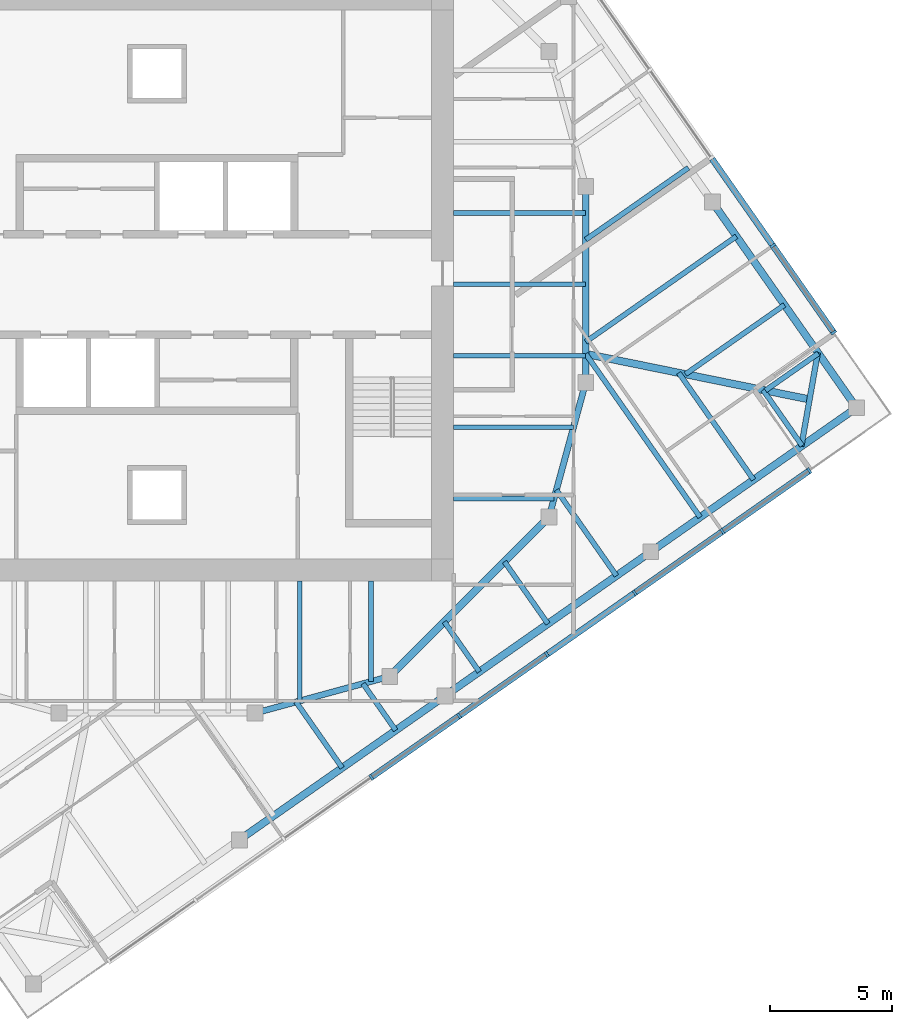
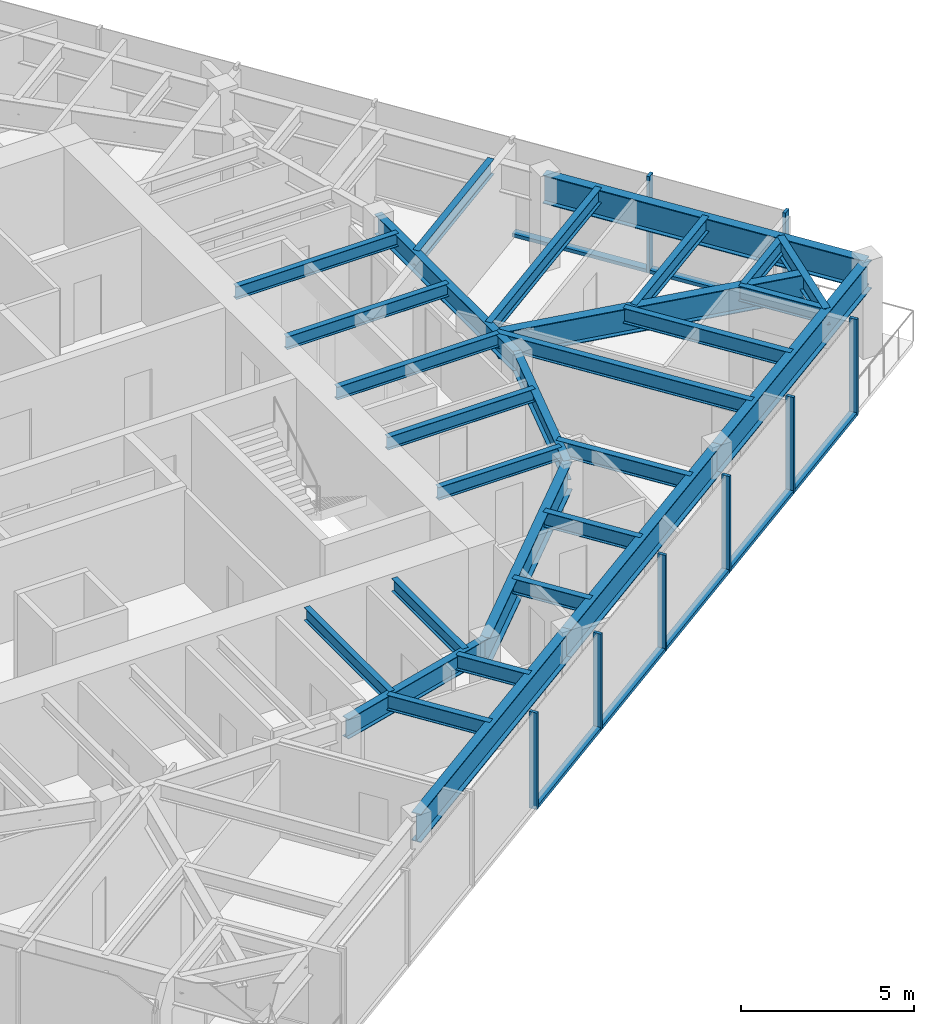
# One storey, part 3 of 12: 29 beams, 15 members, 2 elements without a shape of their own.
"""IFC4 building model written with IfcOpenShell, lengths in metres."""

from ifc_helpers import new_model, si_unit, direction, frame, origin, origin_2d, place, context, subcontext, project, spatial, rectangle, i_section, extrude, material, material_profile, profile_set, type_object, element, aggregate, save


model = new_model("IFC4")

# Units and contexts
model_context = context("Model", 3, precision=1e-05, world=origin(), true_north=direction((0.0, 1.0)))
body_context = subcontext(model_context, "Body", "Model", "MODEL_VIEW")
ifc_project = project(units=[si_unit("LENGTHUNIT", "METRE"), si_unit("AREAUNIT", "SQUARE_METRE"), si_unit("VOLUMEUNIT", "CUBIC_METRE"), si_unit("PLANEANGLEUNIT", "RADIAN"), si_unit("MASSUNIT", "GRAM", prefix="KILO")], contexts=[model_context])

# Site, building, storey
site_placement = place(None, origin())
site = spatial("IfcSite", under=ifc_project, at=site_placement, CompositionType="ELEMENT")
building_placement = place(site_placement, origin())
building = spatial("IfcBuilding", under=site, at=building_placement, Name="Torsade Residences", CompositionType="ELEMENT")
storey_placement = place(building_placement, frame((0.0, 0.0, 240.39990234375)))
storey = spatial("IfcBuildingStorey", under=building, at=storey_placement, Name="L66", CompositionType="ELEMENT", Elevation=240.39990234375)

# Beams
ifc_material_1 = material(Name="Steel grade 300", Category="steel")
ifc_material_profile_1 = material_profile(ifc_material_1, i_section(OverallWidth=0.300048828125, OverallDepth=0.89990234375, WebThickness=0.011962890625, FlangeThickness=0.02490234375, at=origin_2d()), Name="900WB175")
ifc_profile_set_1 = profile_set([ifc_material_profile_1], Name="Steel grade 300")
beam_type_1 = type_object("IfcBeamType", Name="CORNER GIRDER 900WB175", PredefinedType="BEAM", material=ifc_profile_set_1)
beam_1_placement = place(storey_placement, frame((66.635986328125, 25.303466796875, 2.800048828125), z_axis=(-0.979880626756, 0.199584461589, 0.0), x_axis=(-0.199584461589, -0.979880626756, 0.0)))
element("IfcBeam", 1, at=beam_1_placement, inside=storey, type_object=beam_type_1, Name="Corner girder 05 L67", PredefinedType="BEAM", context=body_context, shape_type="SweptSolid", body=[
    extrude(i_section(OverallWidth=0.300048828125, OverallDepth=0.89990234375, WebThickness=0.011962890625, FlangeThickness=0.02490234375, at=origin_2d()), origin(), (0.0, 0.0, 1.0), 9.323486328125),
])
ifc_material_2 = material(Name="Steel grade 300", Category="steel")
ifc_material_profile_2 = material_profile(ifc_material_2, i_section(OverallWidth=0.22802734375, OverallDepth=0.60205078125, WebThickness=0.010498046875, FlangeThickness=0.014892578125, FilletRadius=0.013916015625, at=origin_2d()), Name="610UB101")
ifc_profile_set_2 = profile_set([ifc_material_profile_2], Name="Steel grade 300")
beam_type_2 = type_object("IfcBeamType", Name="CORNER TRIMMER 610UB101", PredefinedType="BEAM", material=ifc_profile_set_2)
beam_2_placement = place(storey_placement, frame((66.9736328125, 27.21826171875, 2.94921875), z_axis=(-0.173645660267, -0.984808196894, 0.0), x_axis=(0.984808196894, -0.173645660267, 0.0)))
element("IfcBeam", 2, at=beam_2_placement, inside=storey, type_object=beam_type_2, Name="Corner trimmer 05 L67", PredefinedType="BEAM", context=body_context, shape_type="SweptSolid", body=[
    extrude(i_section(OverallWidth=0.22802734375, OverallDepth=0.60205078125, WebThickness=0.010498046875, FlangeThickness=0.014892578125, FilletRadius=0.013916015625, at=origin_2d()), origin(), (0.0, 0.0, 1.0), 3.888916015625),
])
ifc_material_3 = material(Name="Steel grade 300", Category="steel")
ifc_material_profile_3 = material_profile(ifc_material_3, i_section(OverallWidth=0.300048828125, OverallDepth=1.0, WebThickness=0.01611328125, FlangeThickness=0.028076171875, at=origin_2d()), Name="1000WB215")
ifc_profile_set_3 = profile_set([ifc_material_profile_3], Name="Steel grade 300")
beam_type_3 = type_object("IfcBeamType", Name="EDGE BEAM 1000WB215", PredefinedType="SPANDREL", material=ifc_profile_set_3)
for number, where, z_axis, x_axis, name in (
    (3, (43.362060546875, 7.328125, 2.75), (0.819150225126, 0.573579034377, 0.0), (-0.573579034377, 0.819150225126, 0.0), "Edge beam 02 L67"),
    (4, (51.75830078125, 13.207275390625, 2.75), (0.819150225126, 0.573579034377, 0.0), (-0.573579034377, 0.819150225126, 0.0), "Edge beam 03 L67"),
):
    element("IfcBeam", number, at=place(storey_placement, frame(where, z_axis=z_axis, x_axis=x_axis)), inside=storey, type_object=beam_type_3, Name=name, PredefinedType="SPANDREL", context=body_context, shape_type="SweptSolid", body=[
        extrude(i_section(OverallWidth=0.300048828125, OverallDepth=1.0, WebThickness=0.01611328125, FlangeThickness=0.028076171875, at=origin_2d()), origin(), (0.0, 0.0, 1.0), 10.25),
    ])
beam_3_placement = place(storey_placement, frame((60.154541015625, 19.08642578125, 2.75), z_axis=(0.819146870247, 0.573583825578, 0.0), x_axis=(-0.573583825578, 0.819146870247, 0.0)))
element("IfcBeam", 5, at=beam_3_placement, inside=storey, type_object=beam_type_3, Name="Edge beam 04 L67", PredefinedType="SPANDREL", context=body_context, shape_type="SweptSolid", body=[
    extrude(i_section(OverallWidth=0.300048828125, OverallDepth=1.0, WebThickness=0.01611328125, FlangeThickness=0.028076171875, at=origin_2d()), origin(), (0.0, 0.0, 1.0), 10.250244140625),
])
beam_4_placement = place(storey_placement, frame((68.551025390625, 24.9658203125, 2.75), z_axis=(-0.573579034377, 0.819150225126, 0.0), x_axis=(-0.819150225126, -0.573579034377, 0.0)))
element("IfcBeam", 6, at=beam_4_placement, inside=storey, type_object=beam_type_3, Name="Edge beam 05 L67", PredefinedType="SPANDREL", context=body_context, shape_type="SweptSolid", body=[
    extrude(i_section(OverallWidth=0.300048828125, OverallDepth=1.0, WebThickness=0.01611328125, FlangeThickness=0.028076171875, at=origin_2d()), origin(), (0.0, 0.0, 1.0), 10.25),
])

# Curtain wall, members
ifc_material_4 = material(Name="Aluminium and glass", Category="aluminium")
curtain_wall_type = type_object("IfcCurtainWallType", Name="FRITTED GLASS CURTAIN WALL HIGH ZONE", PredefinedType="NOTDEFINED", material=ifc_material_4)
curtain_wall_1_placement = place(storey_placement, origin())
curtain_wall_1 = element("IfcCurtainWall", 7, at=curtain_wall_1_placement, inside=storey, type_object=curtain_wall_type, Name="Curtain wall L66 face 1", PredefinedType="NOTDEFINED")
ifc_material_5 = material(Name="Aluminium mullion", Category="aluminium")
ifc_material_profile_4 = material_profile(ifc_material_5, rectangle(XDim=0.25, YDim=0.10009765625, at=origin_2d()), Name="HIGH ZONE CURTAIN WALL MULLION 250x100")
ifc_profile_set_4 = profile_set([ifc_material_profile_4], Name="Aluminium mullion")
member_type_1 = type_object("IfcMemberType", Name="HIGH ZONE CURTAIN WALL MULLION 250x100", PredefinedType="MULLION", material=ifc_profile_set_4)
member_1_placement = place(storey_placement, frame((48.748046875, 9.87890625, 0.0), z_axis=(0.0, 0.0, 1.0), x_axis=(-0.573576457682, 0.819152029353, 0.0)))
member_1 = element("IfcMember", 8, at=member_1_placement, type_object=member_type_1, Name="Mullion 4", PredefinedType="MULLION", context=body_context, shape_type="SweptSolid", body=[
    extrude(rectangle(XDim=0.25, YDim=0.10009765625, at=origin_2d()), origin(), (0.0, 0.0, 1.0), 3.400146484375),
])
member_2_placement = place(storey_placement, frame((52.331787109375, 12.38818359375, 0.0), z_axis=(0.0, 0.0, 1.0), x_axis=(-0.573576457682, 0.819152029353, 0.0)))
member_2 = element("IfcMember", 9, at=member_2_placement, type_object=member_type_1, Name="Mullion 5", PredefinedType="MULLION", context=body_context, shape_type="SweptSolid", body=[
    extrude(rectangle(XDim=0.25, YDim=0.10009765625, at=origin_2d()), origin(), (0.0, 0.0, 1.0), 3.400146484375),
])
member_3_placement = place(storey_placement, frame((55.915771484375, 14.897705078125, 0.0), z_axis=(0.0, 0.0, 1.0), x_axis=(-0.573576457682, 0.819152029353, 0.0)))
member_3 = element("IfcMember", 10, at=member_3_placement, type_object=member_type_1, Name="Mullion 6", PredefinedType="MULLION", context=body_context, shape_type="SweptSolid", body=[
    extrude(rectangle(XDim=0.25, YDim=0.10009765625, at=origin_2d()), origin(), (0.0, 0.0, 1.0), 3.400146484375),
])
member_4_placement = place(storey_placement, frame((59.49951171875, 17.406982421875, 0.0), z_axis=(0.0, 0.0, 1.0), x_axis=(-0.573576457682, 0.819152029353, 0.0)))
member_4 = element("IfcMember", 11, at=member_4_placement, type_object=member_type_1, Name="Mullion 7", PredefinedType="MULLION", context=body_context, shape_type="SweptSolid", body=[
    extrude(rectangle(XDim=0.25, YDim=0.10009765625, at=origin_2d()), origin(), (0.0, 0.0, 1.0), 3.400146484375),
])
member_5_placement = place(storey_placement, frame((63.083251953125, 19.91650390625, 0.0), z_axis=(0.0, 0.0, 1.0), x_axis=(-0.573576457682, 0.819152029353, 0.0)))
member_5 = element("IfcMember", 12, at=member_5_placement, type_object=member_type_1, Name="Mullion 8", PredefinedType="MULLION", context=body_context, shape_type="SweptSolid", body=[
    extrude(rectangle(XDim=0.25, YDim=0.10009765625, at=origin_2d()), origin(), (0.0, 0.0, 1.0), 3.400146484375),
])
member_6_placement = place(storey_placement, frame((66.6259765625, 22.397216796875, 0.0), z_axis=(0.0, 0.0, 1.0), x_axis=(-0.573576457682, 0.819152029353, 0.0)))
member_6 = element("IfcMember", 13, at=member_6_placement, type_object=member_type_1, Name="Mullion 9", PredefinedType="MULLION", context=body_context, shape_type="SweptSolid", body=[
    extrude(rectangle(XDim=0.25, YDim=0.10009765625, at=origin_2d()), origin(), (0.0, 0.0, 1.0), 3.400146484375),
])

curtain_wall_2_placement = place(storey_placement, origin())
curtain_wall_2 = element("IfcCurtainWall", 14, at=curtain_wall_2_placement, inside=storey, type_object=curtain_wall_type, Name="Curtain wall L66 face 4", PredefinedType="NOTDEFINED")
member_7_placement = place(storey_placement, frame((67.62060546875, 28.03759765625, 0.0), z_axis=(0.0, 0.0, 1.0), x_axis=(-0.819152029353, -0.573576457682, 0.0)))
member_7 = element("IfcMember", 15, at=member_7_placement, type_object=member_type_1, Name="Mullion 1", PredefinedType="MULLION", context=body_context, shape_type="SweptSolid", body=[
    extrude(rectangle(XDim=0.25, YDim=0.10009765625, at=origin_2d()), origin(), (0.0, 0.0, 1.0), 3.400146484375),
])
member_8_placement = place(storey_placement, frame((65.139892578125, 31.58056640625, 0.0), z_axis=(0.0, 0.0, 1.0), x_axis=(-0.819152029353, -0.573576457682, 0.0)))
member_8 = element("IfcMember", 16, at=member_8_placement, type_object=member_type_1, Name="Mullion 2", PredefinedType="MULLION", context=body_context, shape_type="SweptSolid", body=[
    extrude(rectangle(XDim=0.25, YDim=0.10009765625, at=origin_2d()), origin(), (0.0, 0.0, 1.0), 3.400146484375),
])

# Member
ifc_material_6 = material(Name="Aluminium transom", Category="aluminium")
ifc_material_profile_5 = material_profile(ifc_material_6, rectangle(XDim=0.25, YDim=0.1201171875, at=origin_2d()), Name="HIGH ZONE CURTAIN WALL TRANSOM 250x120")
ifc_profile_set_5 = profile_set([ifc_material_profile_5], Name="Aluminium transom")
member_type_2 = type_object("IfcMemberType", Name="HIGH ZONE CURTAIN WALL TRANSOM 250x120", PredefinedType="USERDEFINED", material=ifc_profile_set_5)
member_9_placement = place(storey_placement, frame((48.7890625, 9.907470703125, 0.06005859375), z_axis=(0.819146058863, 0.57358498433, 0.0), x_axis=(-0.57358498433, 0.819146058863, 0.0)))
member_9 = element("IfcMember", 17, at=member_9_placement, type_object=member_type_2, Name="Transom 4.1", ObjectType="TRANSOM", PredefinedType="USERDEFINED", context=body_context, shape_type="SweptSolid", body=[
    extrude(rectangle(XDim=0.25, YDim=0.1201171875, at=origin_2d()), origin(), (0.0, 0.0, 1.0), 4.275146484375),
])

member_10_placement = place(storey_placement, frame((52.372802734375, 12.4169921875, 0.06005859375), z_axis=(0.81917289067, 0.573546663483, 0.0), x_axis=(-0.573546663483, 0.81917289067, 0.0)))
member_10 = element("IfcMember", 18, at=member_10_placement, type_object=member_type_2, Name="Transom 5.1", ObjectType="TRANSOM", PredefinedType="USERDEFINED", context=body_context, shape_type="SweptSolid", body=[
    extrude(rectangle(XDim=0.25, YDim=0.1201171875, at=origin_2d()), origin(), (0.0, 0.0, 1.0), 4.27490234375),
])

member_11_placement = place(storey_placement, frame((55.95654296875, 14.92626953125, 0.06005859375), z_axis=(0.819146058863, 0.57358498433, 0.0), x_axis=(-0.57358498433, 0.819146058863, 0.0)))
member_11 = element("IfcMember", 19, at=member_11_placement, type_object=member_type_2, Name="Transom 6.1", ObjectType="TRANSOM", PredefinedType="USERDEFINED", context=body_context, shape_type="SweptSolid", body=[
    extrude(rectangle(XDim=0.25, YDim=0.1201171875, at=origin_2d()), origin(), (0.0, 0.0, 1.0), 4.275146484375),
])

member_12_placement = place(storey_placement, frame((59.54052734375, 17.435791015625, 0.06005859375), z_axis=(0.819154102984, 0.573573496219, 0.0), x_axis=(-0.573573496219, 0.819154102984, 0.0)))
member_12 = element("IfcMember", 20, at=member_12_placement, type_object=member_type_2, Name="Transom 7.1", ObjectType="TRANSOM", PredefinedType="USERDEFINED", context=body_context, shape_type="SweptSolid", body=[
    extrude(rectangle(XDim=0.25, YDim=0.1201171875, at=origin_2d()), origin(), (0.0, 0.0, 1.0), 4.27490234375),
])

member_13_placement = place(storey_placement, frame((63.124267578125, 19.945068359375, 0.06005859375), z_axis=(0.819155901234, 0.573570928023, 0.0), x_axis=(-0.573570928023, 0.819155901234, 0.0)))
member_13 = element("IfcMember", 21, at=member_13_placement, type_object=member_type_2, Name="Transom 8.1", ObjectType="TRANSOM", PredefinedType="USERDEFINED", context=body_context, shape_type="SweptSolid", body=[
    extrude(rectangle(XDim=0.25, YDim=0.1201171875, at=origin_2d()), origin(), (0.0, 0.0, 1.0), 4.22509765625),
])

aggregate(curtain_wall_1, [member_1, member_2, member_3, member_4, member_5, member_6, member_9, member_10, member_11, member_12, member_13])

member_14_placement = place(storey_placement, frame((67.592041015625, 28.07861328125, 0.06005859375), z_axis=(-0.573570928023, 0.819155901234, 0.0), x_axis=(-0.819155901234, -0.573570928023, 0.0)))
member_14 = element("IfcMember", 22, at=member_14_placement, type_object=member_type_2, Name="Transom 1.1", ObjectType="TRANSOM", PredefinedType="USERDEFINED", context=body_context, shape_type="SweptSolid", body=[
    extrude(rectangle(XDim=0.25, YDim=0.1201171875, at=origin_2d()), origin(), (0.0, 0.0, 1.0), 4.22509765625),
])

member_15_placement = place(storey_placement, frame((65.111328125, 31.62158203125, 0.06005859375), z_axis=(-0.573611817101, 0.819127269283, 0.0), x_axis=(-0.819127269283, -0.573611817101, 0.0)))
member_15 = element("IfcMember", 23, at=member_15_placement, type_object=member_type_2, Name="Transom 2.1", ObjectType="TRANSOM", PredefinedType="USERDEFINED", context=body_context, shape_type="SweptSolid", body=[
    extrude(rectangle(XDim=0.25, YDim=0.1201171875, at=origin_2d()), origin(), (0.0, 0.0, 1.0), 4.27490234375),
])

aggregate(curtain_wall_2, [member_7, member_8, member_14, member_15])

# Beams
ifc_material_7 = material(Name="Steel grade 300", Category="steel")
ifc_material_profile_6 = material_profile(ifc_material_7, i_section(OverallWidth=0.18994140625, OverallDepth=0.4541015625, WebThickness=0.008544921875, FlangeThickness=0.0126953125, FilletRadius=0.011474609375, at=origin_2d()), Name="460UB67.1")
ifc_profile_set_6 = profile_set([ifc_material_profile_6], Name="Steel grade 300")
beam_type_4 = type_object("IfcBeamType", Name="INNER FLOOR BEAM 460UB67.1", PredefinedType="JOIST", material=ifc_profile_set_6)
beam_5_placement = place(storey_placement, frame((48.737548828125, 17.89990234375, 3.023193359375), z_axis=(0.0, -1.0, 0.0), x_axis=(1.0, 0.0, 0.0)))
element("IfcBeam", 24, at=beam_5_placement, inside=storey, type_object=beam_type_4, Name="Inner floor beam IS01 L67", PredefinedType="JOIST", context=body_context, shape_type="SweptSolid", body=[
    extrude(i_section(OverallWidth=0.18994140625, OverallDepth=0.4541015625, WebThickness=0.008544921875, FlangeThickness=0.0126953125, FilletRadius=0.011474609375, at=origin_2d()), origin(), (0.0, 0.0, 1.0), 4.10791015625),
])
beam_6_placement = place(storey_placement, frame((45.824951171875, 17.89990234375, 3.023193359375), z_axis=(0.0, -1.0, 0.0), x_axis=(1.0, 0.0, 0.0)))
element("IfcBeam", 25, at=beam_6_placement, inside=storey, type_object=beam_type_4, Name="Inner floor beam IS02 L67", PredefinedType="JOIST", context=body_context, shape_type="SweptSolid", body=[
    extrude(i_section(OverallWidth=0.18994140625, OverallDepth=0.4541015625, WebThickness=0.008544921875, FlangeThickness=0.0126953125, FilletRadius=0.011474609375, at=origin_2d()), origin(), (0.0, 0.0, 1.0), 4.902099609375),
])
beam_7_placement = place(storey_placement, frame((52.10009765625, 21.262451171875, 3.023193359375), z_axis=(1.0, 0.0, 0.0), x_axis=(0.0, 1.0, 0.0)))
element("IfcBeam", 26, at=beam_7_placement, inside=storey, type_object=beam_type_4, Name="Inner floor beam IE01 L67", PredefinedType="JOIST", context=body_context, shape_type="SweptSolid", body=[
    extrude(i_section(OverallWidth=0.18994140625, OverallDepth=0.4541015625, WebThickness=0.008544921875, FlangeThickness=0.0126953125, FilletRadius=0.011474609375, at=origin_2d()), origin(), (0.0, 0.0, 1.0), 4.10791015625),
])
beam_8_placement = place(storey_placement, frame((52.10009765625, 24.175048828125, 3.023193359375), z_axis=(1.0, 0.0, 0.0), x_axis=(0.0, 1.0, 0.0)))
element("IfcBeam", 27, at=beam_8_placement, inside=storey, type_object=beam_type_4, Name="Inner floor beam IE02 L67", PredefinedType="JOIST", context=body_context, shape_type="SweptSolid", body=[
    extrude(i_section(OverallWidth=0.18994140625, OverallDepth=0.4541015625, WebThickness=0.008544921875, FlangeThickness=0.0126953125, FilletRadius=0.011474609375, at=origin_2d()), origin(), (0.0, 0.0, 1.0), 4.902099609375),
])
for number, where, z_axis, x_axis, name in (
    (28, (52.10009765625, 27.08740234375, 3.023193359375), (1.0, 0.0, 0.0), (0.0, 1.0, 0.0), "Inner floor beam IE03 L67"),
    (29, (52.10009765625, 30.0, 3.023193359375), (1.0, 0.0, 0.0), (0.0, 1.0, 0.0), "Inner floor beam IE04 L67"),
    (30, (52.10009765625, 32.91259765625, 3.023193359375), (1.0, 0.0, 0.0), (0.0, 1.0, 0.0), "Inner floor beam IE05 L67"),
):
    element("IfcBeam", number, at=place(storey_placement, frame(where, z_axis=z_axis, x_axis=x_axis)), inside=storey, type_object=beam_type_4, Name=name, PredefinedType="JOIST", context=body_context, shape_type="SweptSolid", body=[
        extrude(i_section(OverallWidth=0.18994140625, OverallDepth=0.4541015625, WebThickness=0.008544921875, FlangeThickness=0.0126953125, FilletRadius=0.011474609375, at=origin_2d()), origin(), (0.0, 0.0, 1.0), 5.39990234375),
    ])
ifc_material_8 = material(Name="Steel grade 300", Category="steel")
ifc_material_profile_7 = material_profile(ifc_material_8, i_section(OverallWidth=0.300048828125, OverallDepth=1.0, WebThickness=0.01611328125, FlangeThickness=0.028076171875, at=origin_2d()), Name="1000WB215")
ifc_profile_set_7 = profile_set([ifc_material_profile_7], Name="Steel grade 300")
beam_type_5 = type_object("IfcBeamType", Name="RING CORNER GIRDER 1000WB215", PredefinedType="BEAM", material=ifc_profile_set_7)
beam_9_placement = place(storey_placement, frame((49.5, 14.0, 2.75), z_axis=(0.707106781187, 0.707106781187, 0.0), x_axis=(-0.707106781187, 0.707106781187, 0.0)))
element("IfcBeam", 31, at=beam_9_placement, inside=storey, type_object=beam_type_5, Name="Ring girder IR15 L67", PredefinedType="BEAM", context=body_context, shape_type="SweptSolid", body=[
    extrude(i_section(OverallWidth=0.300048828125, OverallDepth=1.0, WebThickness=0.01611328125, FlangeThickness=0.028076171875, at=origin_2d()), origin(), (0.0, 0.0, 1.0), 9.1923828125),
])
ifc_material_9 = material(Name="Steel grade 300", Category="steel")
ifc_material_profile_8 = material_profile(ifc_material_9, i_section(OverallWidth=0.25, OverallDepth=0.699951171875, WebThickness=0.010009765625, FlangeThickness=0.02001953125, at=origin_2d()), Name="700WB130")
ifc_profile_set_8 = profile_set([ifc_material_profile_8], Name="Steel grade 300")
beam_type_6 = type_object("IfcBeamType", Name="RING GIRDER 700WB130", PredefinedType="BEAM", material=ifc_profile_set_8)
beam_10_placement = place(storey_placement, frame((57.5, 26.0, 2.900146484375), z_axis=(0.0, 1.0, 0.0), x_axis=(-1.0, 0.0, 0.0)))
element("IfcBeam", 32, at=beam_10_placement, inside=storey, type_object=beam_type_6, Name="Ring girder IR01 L67", PredefinedType="BEAM", context=body_context, shape_type="SweptSolid", body=[
    extrude(i_section(OverallWidth=0.25, OverallDepth=0.699951171875, WebThickness=0.010009765625, FlangeThickness=0.02001953125, at=origin_2d()), origin(), (0.0, 0.0, 1.0), 8.0),
])
for number, where, z_axis, x_axis, name in (
    (33, (44.0, 12.5, 2.900146484375), (0.964763821238, 0.263117405792, 0.0), (-0.263117405792, 0.964763821238, 0.0), "Ring girder IR14 L67"),
    (34, (56.0, 20.5, 2.900146484375), (0.263117405792, 0.964763821238, 0.0), (-0.964763821238, 0.263117405792, 0.0), "Ring girder IR16 L67"),
):
    element("IfcBeam", number, at=place(storey_placement, frame(where, z_axis=z_axis, x_axis=x_axis)), inside=storey, type_object=beam_type_6, Name=name, PredefinedType="BEAM", context=body_context, shape_type="SweptSolid", body=[
        extrude(i_section(OverallWidth=0.25, OverallDepth=0.699951171875, WebThickness=0.010009765625, FlangeThickness=0.02001953125, at=origin_2d()), origin(), (0.0, 0.0, 1.0), 5.700927734375),
    ])
ifc_material_10 = material(Name="Steel grade 300", Category="steel")
ifc_material_profile_9 = material_profile(ifc_material_10, i_section(OverallWidth=0.208984375, OverallDepth=0.532958984375, WebThickness=0.01025390625, FlangeThickness=0.015625, FilletRadius=0.013916015625, at=origin_2d()), Name="530UB92.4")
ifc_profile_set_9 = profile_set([ifc_material_profile_9], Name="Steel grade 300")
beam_type_7 = type_object("IfcBeamType", Name="SECONDARY BEAM 530UB92.4", PredefinedType="JOIST", material=ifc_profile_set_9)
beam_11_placement = place(storey_placement, frame((47.56005859375, 10.267822265625, 2.983642578125), z_axis=(-0.573552173902, 0.819169032504, 0.0), x_axis=(-0.819169032504, -0.573552173902, 0.0)))
element("IfcBeam", 35, at=beam_11_placement, inside=storey, type_object=beam_type_7, Name="Floor beam FS05 L67", PredefinedType="JOIST", context=body_context, shape_type="SweptSolid", body=[
    extrude(i_section(OverallWidth=0.208984375, OverallDepth=0.532958984375, WebThickness=0.01025390625, FlangeThickness=0.015625, FilletRadius=0.013916015625, at=origin_2d()), origin(), (0.0, 0.0, 1.0), 3.283203125),
])
beam_12_placement = place(storey_placement, frame((49.74462890625, 11.79736328125, 2.983642578125), z_axis=(-0.573567996949, 0.819157953557, 0.0), x_axis=(-0.819157953557, -0.573567996949, 0.0)))
element("IfcBeam", 36, at=beam_12_placement, inside=storey, type_object=beam_type_7, Name="Floor beam FS06 L67", PredefinedType="JOIST", context=body_context, shape_type="SweptSolid", body=[
    extrude(i_section(OverallWidth=0.208984375, OverallDepth=0.532958984375, WebThickness=0.01025390625, FlangeThickness=0.015625, FilletRadius=0.013916015625, at=origin_2d()), origin(), (0.0, 0.0, 1.0), 2.326171875),
])
beam_13_placement = place(storey_placement, frame((53.15771484375, 14.187255859375, 2.983642578125), z_axis=(-0.573547823109, 0.819172078752, 0.0), x_axis=(-0.819172078752, -0.573547823109, 0.0)))
element("IfcBeam", 37, at=beam_13_placement, inside=storey, type_object=beam_type_7, Name="Floor beam FS07 L67", PredefinedType="JOIST", context=body_context, shape_type="SweptSolid", body=[
    extrude(i_section(OverallWidth=0.208984375, OverallDepth=0.532958984375, WebThickness=0.01025390625, FlangeThickness=0.015625, FilletRadius=0.013916015625, at=origin_2d()), origin(), (0.0, 0.0, 1.0), 2.491943359375),
])
beam_14_placement = place(storey_placement, frame((55.95654296875, 16.14697265625, 2.983642578125), z_axis=(-0.573600013401, 0.819135534955, 0.0), x_axis=(-0.819135534955, -0.573600013401, 0.0)))
element("IfcBeam", 38, at=beam_14_placement, inside=storey, type_object=beam_type_7, Name="Floor beam FS08 L67", PredefinedType="JOIST", context=body_context, shape_type="SweptSolid", body=[
    extrude(i_section(OverallWidth=0.208984375, OverallDepth=0.532958984375, WebThickness=0.01025390625, FlangeThickness=0.015625, FilletRadius=0.013916015625, at=origin_2d()), origin(), (0.0, 0.0, 1.0), 3.09423828125),
])
beam_15_placement = place(storey_placement, frame((58.755126953125, 18.106689453125, 2.983642578125), z_axis=(-0.573581127575, 0.819148759439, 0.0), x_axis=(-0.819148759439, -0.573581127575, 0.0)))
element("IfcBeam", 39, at=beam_15_placement, inside=storey, type_object=beam_type_7, Name="Floor beam FS09 L67", PredefinedType="JOIST", context=body_context, shape_type="SweptSolid", body=[
    extrude(i_section(OverallWidth=0.208984375, OverallDepth=0.532958984375, WebThickness=0.01025390625, FlangeThickness=0.015625, FilletRadius=0.013916015625, at=origin_2d()), origin(), (0.0, 0.0, 1.0), 4.276123046875),
])
beam_16_placement = place(storey_placement, frame((62.16845703125, 20.49658203125, 2.983642578125), z_axis=(-0.573577087251, 0.819151588523, 0.0), x_axis=(-0.819151588523, -0.573577087251, 0.0)))
element("IfcBeam", 40, at=beam_16_placement, inside=storey, type_object=beam_type_7, Name="Floor beam FS10 L67", PredefinedType="JOIST", context=body_context, shape_type="SweptSolid", body=[
    extrude(i_section(OverallWidth=0.208984375, OverallDepth=0.532958984375, WebThickness=0.01025390625, FlangeThickness=0.015625, FilletRadius=0.013916015625, at=origin_2d()), origin(), (0.0, 0.0, 1.0), 8.13916015625),
])
beam_17_placement = place(storey_placement, frame((64.352783203125, 22.026123046875, 2.983642578125), z_axis=(-0.573597638513, 0.819137197966, 0.0), x_axis=(-0.819137197966, -0.573597638513, 0.0)))
element("IfcBeam", 41, at=beam_17_placement, inside=storey, type_object=beam_type_7, Name="Floor beam FS11 L67", PredefinedType="JOIST", context=body_context, shape_type="SweptSolid", body=[
    extrude(i_section(OverallWidth=0.208984375, OverallDepth=0.532958984375, WebThickness=0.01025390625, FlangeThickness=0.015625, FilletRadius=0.013916015625, at=origin_2d()), origin(), (0.0, 0.0, 1.0), 5.328369140625),
])
beam_18_placement = place(storey_placement, frame((66.332275390625, 23.412353515625, 2.983642578125), z_axis=(-0.573521270253, 0.819190669238, 0.0), x_axis=(-0.819190669238, -0.573521270253, 0.0)))
element("IfcBeam", 42, at=beam_18_placement, inside=storey, type_object=beam_type_7, Name="Floor beam FS12 L67", PredefinedType="JOIST", context=body_context, shape_type="SweptSolid", body=[
    extrude(i_section(OverallWidth=0.208984375, OverallDepth=0.532958984375, WebThickness=0.01025390625, FlangeThickness=0.015625, FilletRadius=0.013916015625, at=origin_2d()), origin(), (0.0, 0.0, 1.0), 2.780517578125),
])
beam_19_placement = place(storey_placement, frame((66.99755859375, 27.184326171875, 2.983642578125), z_axis=(-0.819140666445, -0.573592685254, 0.0), x_axis=(0.573592685254, -0.819140666445, 0.0)))
element("IfcBeam", 43, at=beam_19_placement, inside=storey, type_object=beam_type_7, Name="Floor beam FE01 L67", PredefinedType="JOIST", context=body_context, shape_type="SweptSolid", body=[
    extrude(i_section(OverallWidth=0.208984375, OverallDepth=0.532958984375, WebThickness=0.01025390625, FlangeThickness=0.015625, FilletRadius=0.013916015625, at=origin_2d()), origin(), (0.0, 0.0, 1.0), 2.639892578125),
])
beam_20_placement = place(storey_placement, frame((65.611328125, 29.163818359375, 2.983642578125), z_axis=(-0.819152843027, -0.573575295634, 0.0), x_axis=(0.573575295634, -0.819152843027, 0.0)))
element("IfcBeam", 44, at=beam_20_placement, inside=storey, type_object=beam_type_7, Name="Floor beam FE02 L67", PredefinedType="JOIST", context=body_context, shape_type="SweptSolid", body=[
    extrude(i_section(OverallWidth=0.208984375, OverallDepth=0.532958984375, WebThickness=0.01025390625, FlangeThickness=0.015625, FilletRadius=0.013916015625, at=origin_2d()), origin(), (0.0, 0.0, 1.0), 4.931884765625),
])
beam_21_placement = place(storey_placement, frame((63.651611328125, 31.962646484375, 2.983642578125), z_axis=(-0.819154019917, -0.573573614851, 0.0), x_axis=(0.573573614851, -0.819154019917, 0.0)))
element("IfcBeam", 45, at=beam_21_placement, inside=storey, type_object=beam_type_7, Name="Floor beam FE03 L67", PredefinedType="JOIST", context=body_context, shape_type="SweptSolid", body=[
    extrude(i_section(OverallWidth=0.208984375, OverallDepth=0.532958984375, WebThickness=0.01025390625, FlangeThickness=0.015625, FilletRadius=0.013916015625, at=origin_2d()), origin(), (0.0, 0.0, 1.0), 7.509765625),
])
beam_22_placement = place(storey_placement, frame((61.69189453125, 34.761474609375, 2.983642578125), z_axis=(-0.819142258339, -0.573590411882, 0.0), x_axis=(0.573590411882, -0.819142258339, 0.0)))
element("IfcBeam", 46, at=beam_22_placement, inside=storey, type_object=beam_type_7, Name="Floor beam FE04 L67", PredefinedType="JOIST", context=body_context, shape_type="SweptSolid", body=[
    extrude(i_section(OverallWidth=0.208984375, OverallDepth=0.532958984375, WebThickness=0.01025390625, FlangeThickness=0.015625, FilletRadius=0.013916015625, at=origin_2d()), origin(), (0.0, 0.0, 1.0), 5.117431640625),
])

save(model, "model.ifc")
